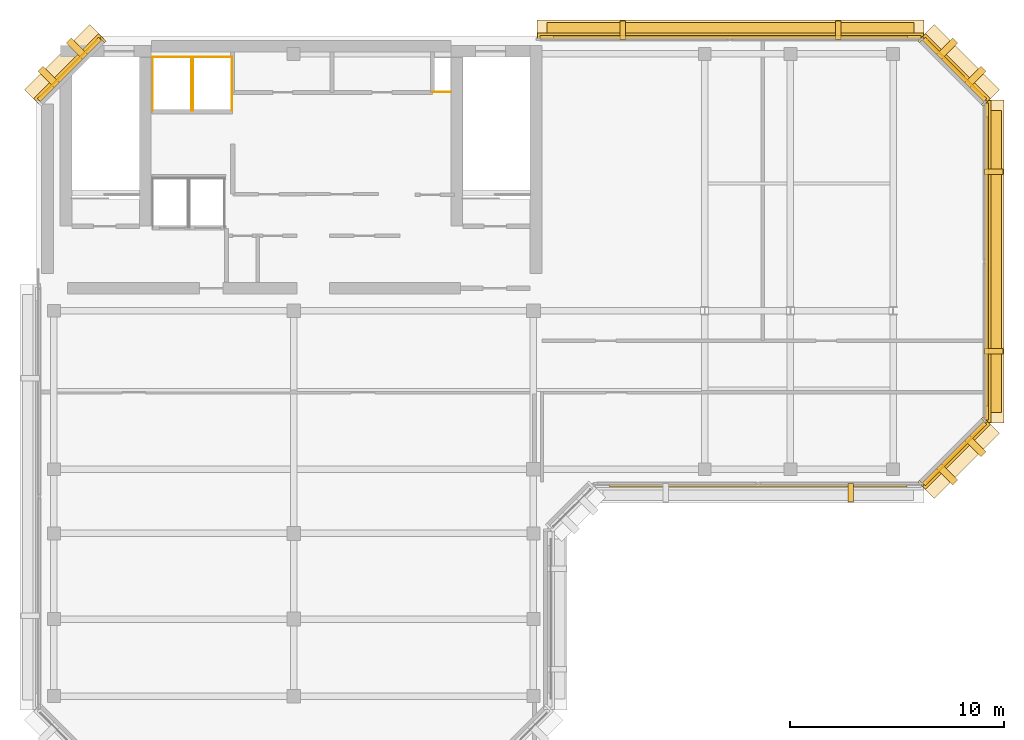
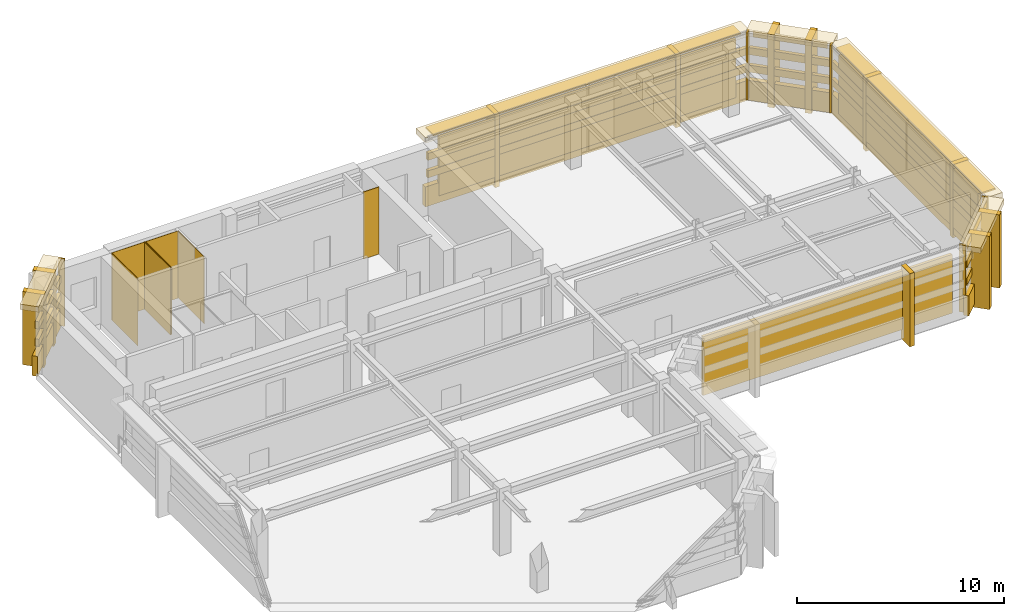
# One storey, part 7 of 7: 46 coverings, 5 shading devices.
"""IFC4 building model written with IfcOpenShell, lengths in metres."""

from ifc_helpers import new_model, si_unit, direction, frame, origin, origin_2d, place, context, subcontext, project, spatial, polyline, rectangle, outline, extrude, material, layer, layer_set, type_object, element, save


model = new_model("IFC4")

# Units and contexts
model_context = context("Model", 3, precision=1e-05, world=origin(), true_north=direction((0.0, 1.0)))
body_context = subcontext(model_context, "Body", "Model", "MODEL_VIEW")
ifc_project = project(units=[si_unit("LENGTHUNIT", "METRE"), si_unit("AREAUNIT", "SQUARE_METRE"), si_unit("VOLUMEUNIT", "CUBIC_METRE"), si_unit("PLANEANGLEUNIT", "RADIAN"), si_unit("MASSUNIT", "GRAM", prefix="KILO")], contexts=[model_context])

# Site, building, storey
site_placement = place(None, origin())
site = spatial("IfcSite", under=ifc_project, at=site_placement, CompositionType="ELEMENT")
building_placement = place(site_placement, origin())
building = spatial("IfcBuilding", under=site, at=building_placement, Name="Kefirva Bronze Tower", CompositionType="ELEMENT")
storey_placement = place(building_placement, frame((0.0, 0.0, 369.929931640625)))
storey = spatial("IfcBuildingStorey", under=building, at=storey_placement, Name="L90", CompositionType="ELEMENT", Elevation=369.929931640625)

# Coverings
ifc_material = material(Name="Bronze anodised aluminium", Category="aluminium")
ifc_layer_1 = layer(ifc_material, 0.02001953125, Name="Bronze anodised aluminium")
ifc_layer_set_1 = layer_set([ifc_layer_1], Name="Bronze anodised aluminium")
covering_type_1 = type_object("IfcCoveringType", Name="Anodised Bronze Spandrel Cladding 20mm", PredefinedType="CLADDING", material=ifc_layer_set_1)
covering_1_placement = place(storey_placement, frame((42.906982421875, 26.492919921875, 3.5400390625), z_axis=(0.0, 0.0, 1.0), x_axis=(0.707106781187, 0.707106781187, 0.0)))
element("IfcCovering", 1, at=covering_1_placement, inside=storey, type_object=covering_type_1, Name="L90 Bronze Spandrel Cladding 4", PredefinedType="CLADDING", context=body_context, shape_type="SweptSolid", body=[
    extrude(rectangle(XDim=3.719482421875, YDim=0.02001953125, at=origin_2d()), origin(), (0.0, 0.0, 1.0), 0.39990234375),
])
for number, where, z_axis, x_axis, name in (
    (2, (41.311767578125, 25.137939453125, 0.0), (0.0, 0.0, 1.0), (0.707106781187, 0.707106781187, 0.0), "L90 Facade Joint Closure Panel 4S"),
    (3, (44.26220703125, 28.08837890625, 0.0), (0.0, 0.0, 1.0), (0.707106781187, 0.707106781187, 0.0), "L90 Facade Joint Closure Panel 4E"),
):
    element("IfcCovering", number, at=place(storey_placement, frame(where, z_axis=z_axis, x_axis=x_axis)), inside=storey, type_object=covering_type_1, Name=name, PredefinedType="CLADDING", context=body_context, shape_type="SweptSolid", body=[
        extrude(rectangle(XDim=0.10009765625, YDim=0.320068359375, at=origin_2d()), origin(), (0.0, 0.0, 1.0), 3.9599609375),
    ])
covering_2_placement = place(storey_placement, frame((42.92822265625, 26.4716796875, -0.15966796875), z_axis=(0.0, 0.0, 1.0), x_axis=(0.707106781187, 0.707106781187, 0.0)))
element("IfcCovering", 4, at=covering_2_placement, inside=storey, type_object=covering_type_1, Name="L90 Streamline Horizontal Spandrel Band 5", PredefinedType="CLADDING", context=body_context, shape_type="SweptSolid", body=[
    extrude(rectangle(XDim=4.28271484375, YDim=0.280029296875, at=origin_2d()), origin(), (0.0, 0.0, 1.0), 1.179931640625),
])
for number, where, z_axis, x_axis, name in (
    (5, (42.87158203125, 26.5283203125, 1.532470703125), (0.0, 0.0, 1.0), (0.707106781187, 0.707106781187, 0.0), "L90 Recessed Zone-Break Bronze Louvre Band 5-1"),
    (6, (42.87158203125, 26.5283203125, 2.56201171875), (0.0, 0.0, 1.0), (0.707106781187, 0.707106781187, 0.0), "L90 Recessed Zone-Break Bronze Louvre Band 5-2"),
):
    element("IfcCovering", number, at=place(storey_placement, frame(where, z_axis=z_axis, x_axis=x_axis)), inside=storey, type_object=covering_type_1, Name=name, PredefinedType="CLADDING", context=body_context, shape_type="SweptSolid", body=[
        extrude(rectangle(XDim=4.04248046875, YDim=0.199951171875, at=origin_2d()), origin(), (0.0, 0.0, 1.0), 0.419921875),
    ])
covering_3_placement = place(storey_placement, frame((44.43994140625, 35.5, -0.15966796875), z_axis=(0.0, 0.0, 1.0), x_axis=(0.0, 1.0, 0.0)))
element("IfcCovering", 7, at=covering_3_placement, inside=storey, type_object=covering_type_1, Name="L90 Streamline Horizontal Spandrel Band 6", PredefinedType="CLADDING", context=body_context, shape_type="SweptSolid", body=[
    extrude(rectangle(XDim=15.0400390625, YDim=0.280029296875, at=origin_2d()), origin(), (0.0, 0.0, 1.0), 1.179931640625),
])
for number, where, z_axis, x_axis, name in (
    (8, (44.360107421875, 35.5, 1.532470703125), (0.0, 0.0, 1.0), (0.0, 1.0, 0.0), "L90 Recessed Zone-Break Bronze Louvre Band 6-1"),
    (9, (44.360107421875, 35.5, 2.56201171875), (0.0, 0.0, 1.0), (0.0, 1.0, 0.0), "L90 Recessed Zone-Break Bronze Louvre Band 6-2"),
):
    element("IfcCovering", number, at=place(storey_placement, frame(where, z_axis=z_axis, x_axis=x_axis)), inside=storey, type_object=covering_type_1, Name=name, PredefinedType="CLADDING", context=body_context, shape_type="SweptSolid", body=[
        extrude(rectangle(XDim=14.800048828125, YDim=0.199951171875, at=origin_2d()), origin(), (0.0, 0.0, 1.0), 0.419921875),
    ])
covering_4_placement = place(storey_placement, frame((42.906982421875, 44.507080078125, 3.5400390625), z_axis=(0.0, 0.0, 1.0), x_axis=(-0.707106781187, 0.707106781187, 0.0)))
element("IfcCovering", 10, at=covering_4_placement, inside=storey, type_object=covering_type_1, Name="L90 Bronze Spandrel Cladding 5", PredefinedType="CLADDING", context=body_context, shape_type="SweptSolid", body=[
    extrude(rectangle(XDim=3.719482421875, YDim=0.02001953125, at=origin_2d()), origin(), (0.0, 0.0, 1.0), 0.39990234375),
])
for number, where, z_axis, x_axis, name in (
    (11, (44.26220703125, 42.91162109375, 0.0), (0.0, 0.0, 1.0), (-0.707106781187, 0.707106781187, 0.0), "L90 Facade Joint Closure Panel 5S"),
    (12, (41.311767578125, 45.862060546875, 0.0), (0.0, 0.0, 1.0), (-0.707106781187, 0.707106781187, 0.0), "L90 Facade Joint Closure Panel 5E"),
):
    element("IfcCovering", number, at=place(storey_placement, frame(where, z_axis=z_axis, x_axis=x_axis)), inside=storey, type_object=covering_type_1, Name=name, PredefinedType="CLADDING", context=body_context, shape_type="SweptSolid", body=[
        extrude(rectangle(XDim=0.10009765625, YDim=0.320068359375, at=origin_2d()), origin(), (0.0, 0.0, 1.0), 3.9599609375),
    ])
covering_5_placement = place(storey_placement, frame((42.92822265625, 44.5283203125, -0.15966796875), z_axis=(0.0, 0.0, 1.0), x_axis=(-0.707106781187, 0.707106781187, 0.0)))
element("IfcCovering", 13, at=covering_5_placement, inside=storey, type_object=covering_type_1, Name="L90 Streamline Horizontal Spandrel Band 7", PredefinedType="CLADDING", context=body_context, shape_type="SweptSolid", body=[
    extrude(rectangle(XDim=4.28271484375, YDim=0.280029296875, at=origin_2d()), origin(), (0.0, 0.0, 1.0), 1.179931640625),
])
for number, where, z_axis, x_axis, name in (
    (14, (42.87158203125, 44.4716796875, 1.532470703125), (0.0, 0.0, 1.0), (-0.707106781187, 0.707106781187, 0.0), "L90 Recessed Zone-Break Bronze Louvre Band 7-1"),
    (15, (42.87158203125, 44.4716796875, 2.56201171875), (0.0, 0.0, 1.0), (-0.707106781187, 0.707106781187, 0.0), "L90 Recessed Zone-Break Bronze Louvre Band 7-2"),
):
    element("IfcCovering", number, at=place(storey_placement, frame(where, z_axis=z_axis, x_axis=x_axis)), inside=storey, type_object=covering_type_1, Name=name, PredefinedType="CLADDING", context=body_context, shape_type="SweptSolid", body=[
        extrude(rectangle(XDim=4.04248046875, YDim=0.199951171875, at=origin_2d()), origin(), (0.0, 0.0, 1.0), 0.419921875),
    ])
covering_6_placement = place(storey_placement, frame((32.402587890625, 46.0400390625, -0.15966796875), z_axis=(0.0, 0.0, 1.0), x_axis=(-1.0, 0.0, 0.0)))
element("IfcCovering", 16, at=covering_6_placement, inside=storey, type_object=covering_type_1, Name="L90 Streamline Horizontal Spandrel Band 8", PredefinedType="CLADDING", context=body_context, shape_type="SweptSolid", body=[
    extrude(rectangle(XDim=18.034912109375, YDim=0.280029296875, at=origin_2d()), origin(), (0.0, 0.0, 1.0), 1.179931640625),
])
for number, where, z_axis, x_axis, name in (
    (17, (32.402587890625, 45.9599609375, 1.532470703125), (0.0, 0.0, 1.0), (-1.0, 0.0, 0.0), "L90 Recessed Zone-Break Bronze Louvre Band 8-1"),
    (18, (32.402587890625, 45.9599609375, 2.56201171875), (0.0, 0.0, 1.0), (-1.0, 0.0, 0.0), "L90 Recessed Zone-Break Bronze Louvre Band 8-2"),
):
    element("IfcCovering", number, at=place(storey_placement, frame(where, z_axis=z_axis, x_axis=x_axis)), inside=storey, type_object=covering_type_1, Name=name, PredefinedType="CLADDING", context=body_context, shape_type="SweptSolid", body=[
        extrude(rectangle(XDim=17.794921875, YDim=0.199951171875, at=origin_2d()), origin(), (0.0, 0.0, 1.0), 0.419921875),
    ])
covering_7_placement = place(storey_placement, frame((1.492919921875, 44.507080078125, 3.5400390625), z_axis=(0.0, 0.0, 1.0), x_axis=(-0.707106781187, -0.707106781187, 0.0)))
element("IfcCovering", 19, at=covering_7_placement, inside=storey, type_object=covering_type_1, Name="L90 Bronze Spandrel Cladding 6", PredefinedType="CLADDING", context=body_context, shape_type="SweptSolid", body=[
    extrude(rectangle(XDim=3.719482421875, YDim=0.02001953125, at=origin_2d()), origin(), (0.0, 0.0, 1.0), 0.39990234375),
])
covering_8_placement = place(storey_placement, frame((3.08837890625, 45.862060546875, 0.0), z_axis=(0.0, 0.0, 1.0), x_axis=(-0.707106781187, -0.707106781187, 0.0)))
element("IfcCovering", 20, at=covering_8_placement, inside=storey, type_object=covering_type_1, Name="L90 Facade Joint Closure Panel 6S", PredefinedType="CLADDING", context=body_context, shape_type="SweptSolid", body=[
    extrude(rectangle(XDim=0.10009765625, YDim=0.320068359375, at=origin_2d()), origin(), (0.0, 0.0, 1.0), 3.9599609375),
])
covering_9_placement = place(storey_placement, frame((1.4716796875, 44.5283203125, -0.15966796875), z_axis=(0.0, 0.0, 1.0), x_axis=(-0.707106781187, -0.707106781187, 0.0)))
element("IfcCovering", 21, at=covering_9_placement, inside=storey, type_object=covering_type_1, Name="L90 Streamline Horizontal Spandrel Band 9", PredefinedType="CLADDING", context=body_context, shape_type="SweptSolid", body=[
    extrude(rectangle(XDim=4.28271484375, YDim=0.280029296875, at=origin_2d()), origin(), (0.0, 0.0, 1.0), 1.179931640625),
])
for number, where, z_axis, x_axis, name in (
    (22, (1.5283203125, 44.4716796875, 1.532470703125), (0.0, 0.0, 1.0), (-0.707106781187, -0.707106781187, 0.0), "L90 Recessed Zone-Break Bronze Louvre Band 9-1"),
    (23, (1.5283203125, 44.4716796875, 2.56201171875), (0.0, 0.0, 1.0), (-0.707106781187, -0.707106781187, 0.0), "L90 Recessed Zone-Break Bronze Louvre Band 9-2"),
):
    element("IfcCovering", number, at=place(storey_placement, frame(where, z_axis=z_axis, x_axis=x_axis)), inside=storey, type_object=covering_type_1, Name=name, PredefinedType="CLADDING", context=body_context, shape_type="SweptSolid", body=[
        extrude(rectangle(XDim=4.04248046875, YDim=0.199951171875, at=origin_2d()), origin(), (0.0, 0.0, 1.0), 0.419921875),
    ])
covering_10_placement = place(storey_placement, origin())
element("IfcCovering", 24, at=covering_10_placement, inside=storey, type_object=covering_type_1, Name="L90 Lift SV1 Hoistway Liner N", PredefinedType="CLADDING", context=body_context, shape_type="SweptSolid", body=[
    extrude(outline(polyline([(5.39990234375, 45.0400390625), (7.260009765625, 45.0400390625), (7.260009765625, 45.06005859375), (5.39990234375, 45.06005859375), (5.39990234375, 45.0400390625)])), origin(), (0.0, 0.0, 1.0), 3.9599609375),
])
covering_11_placement = place(storey_placement, origin())
element("IfcCovering", 25, at=covering_11_placement, inside=storey, type_object=covering_type_1, Name="L90 Lift SV1 Hoistway Liner W", PredefinedType="CLADDING", context=body_context, shape_type="SweptSolid", body=[
    extrude(outline(polyline([(5.409912109375, 42.530029296875), (5.429931640625, 42.530029296875), (5.429931640625, 45.070068359375), (5.409912109375, 45.070068359375), (5.409912109375, 42.530029296875)])), origin(), (0.0, 0.0, 1.0), 3.9599609375),
])
covering_12_placement = place(storey_placement, origin())
element("IfcCovering", 26, at=covering_12_placement, inside=storey, type_object=covering_type_1, Name="L90 Lift SV1 Hoistway Liner E", PredefinedType="CLADDING", context=body_context, shape_type="SweptSolid", body=[
    extrude(outline(polyline([(7.22998046875, 42.530029296875), (7.25, 42.530029296875), (7.25, 45.070068359375), (7.22998046875, 45.070068359375), (7.22998046875, 42.530029296875)])), origin(), (0.0, 0.0, 1.0), 3.9599609375),
])
covering_13_placement = place(storey_placement, origin())
element("IfcCovering", 27, at=covering_13_placement, inside=storey, type_object=covering_type_1, Name="L90 Lift SV2 Hoistway Liner N", PredefinedType="CLADDING", context=body_context, shape_type="SweptSolid", body=[
    extrude(outline(polyline([(7.280029296875, 45.0400390625), (9.139892578125, 45.0400390625), (9.139892578125, 45.06005859375), (7.280029296875, 45.06005859375), (7.280029296875, 45.0400390625)])), origin(), (0.0, 0.0, 1.0), 3.9599609375),
])
covering_14_placement = place(storey_placement, origin())
element("IfcCovering", 28, at=covering_14_placement, inside=storey, type_object=covering_type_1, Name="L90 Lift SV2 Hoistway Liner W", PredefinedType="CLADDING", context=body_context, shape_type="SweptSolid", body=[
    extrude(outline(polyline([(7.2900390625, 42.530029296875), (7.31005859375, 42.530029296875), (7.31005859375, 45.070068359375), (7.2900390625, 45.070068359375), (7.2900390625, 42.530029296875)])), origin(), (0.0, 0.0, 1.0), 3.9599609375),
])
covering_15_placement = place(storey_placement, origin())
element("IfcCovering", 29, at=covering_15_placement, inside=storey, type_object=covering_type_1, Name="L90 Lift SV2 Hoistway Liner E", PredefinedType="CLADDING", context=body_context, shape_type="SweptSolid", body=[
    extrude(outline(polyline([(9.110107421875, 42.530029296875), (9.1298828125, 42.530029296875), (9.1298828125, 45.070068359375), (9.110107421875, 45.070068359375), (9.110107421875, 42.530029296875)])), origin(), (0.0, 0.0, 1.0), 3.9599609375),
])
covering_16_placement = place(storey_placement, origin())
element("IfcCovering", 30, at=covering_16_placement, inside=storey, type_object=covering_type_1, Name="L90 Core MEP Riser Shaft Liner South", PredefinedType="CLADDING", context=body_context, shape_type="SweptSolid", body=[
    extrude(outline(polyline([(18.47998046875, 43.39990234375), (19.360107421875, 43.39990234375), (19.360107421875, 43.429931640625), (18.47998046875, 43.429931640625), (18.47998046875, 43.39990234375)])), origin(), (0.0, 0.0, 1.0), 3.9599609375),
])

# Shading devices
ifc_layer_2 = layer(ifc_material, 0.090087890625, Name="Bronze anodised aluminium")
ifc_layer_set_2 = layer_set([ifc_layer_2], Name="Bronze anodised aluminium")
shading_device_type_1 = type_object("IfcShadingDeviceType", Name="Horizontal Bronze Sunshade Band 750mm", PredefinedType="JALOUSIE", material=ifc_layer_set_2)
shading_device_1_placement = place(storey_placement, frame((44.695068359375, 35.5, 3.85498046875), z_axis=(0.0, 0.0, 1.0), x_axis=(0.0, 1.0, 0.0)))
element("IfcShadingDevice", 31, at=shading_device_1_placement, inside=storey, type_object=shading_device_type_1, Name="L90 Horizontal Bronze Sunshade Band 6", PredefinedType="JALOUSIE", context=body_context, shape_type="SweptSolid", body=[
    extrude(rectangle(XDim=14.090087890625, YDim=0.75, at=origin_2d()), origin(), (0.0, 0.0, 1.0), 0.090087890625),
])
shading_device_2_placement = place(storey_placement, frame((32.402587890625, 46.294921875, 3.85498046875), z_axis=(0.0, 0.0, 1.0), x_axis=(-1.0, 0.0, 0.0)))
element("IfcShadingDevice", 32, at=shading_device_2_placement, inside=storey, type_object=shading_device_type_1, Name="L90 Horizontal Bronze Sunshade Band 8", PredefinedType="JALOUSIE", context=body_context, shape_type="SweptSolid", body=[
    extrude(rectangle(XDim=17.139892578125, YDim=0.75, at=origin_2d()), origin(), (0.0, 0.0, 1.0), 0.090087890625),
])
ifc_layer_3 = layer(ifc_material, 0.159912109375, Name="Bronze anodised aluminium")
ifc_layer_set_3 = layer_set([ifc_layer_3], Name="Bronze anodised aluminium")
shading_device_type_2 = type_object("IfcShadingDeviceType", Name="Recessed Zone-Break Acoustic Louvre Screen", PredefinedType="SHUTTER", material=ifc_layer_set_3)
shading_device_3_placement = place(storey_placement, frame((33.699951171875, 25.0400390625, 0.25), z_axis=(0.0, 0.0, 1.0), x_axis=(1.0, 0.0, 0.0)))
element("IfcShadingDevice", 33, at=shading_device_3_placement, inside=storey, type_object=shading_device_type_2, Name="L90 Acoustic Plant Louvre Screen 4", PredefinedType="SHUTTER", context=body_context, shape_type="SweptSolid", body=[
    extrude(rectangle(XDim=13.889892578125, YDim=0.159912109375, at=origin_2d()), origin(), (0.0, 0.0, 1.0), 3.4599609375),
])
shading_device_4_placement = place(storey_placement, frame((44.360107421875, 35.5, 0.25), z_axis=(0.0, 0.0, 1.0), x_axis=(0.0, 1.0, 0.0)))
element("IfcShadingDevice", 34, at=shading_device_4_placement, inside=storey, type_object=shading_device_type_2, Name="L90 Acoustic Plant Louvre Screen 6", PredefinedType="SHUTTER", context=body_context, shape_type="SweptSolid", body=[
    extrude(rectangle(XDim=13.489990234375, YDim=0.159912109375, at=origin_2d()), origin(), (0.0, 0.0, 1.0), 3.4599609375),
])
shading_device_5_placement = place(storey_placement, frame((32.402587890625, 45.9599609375, 0.25), z_axis=(0.0, 0.0, 1.0), x_axis=(-1.0, 0.0, 0.0)))
element("IfcShadingDevice", 35, at=shading_device_5_placement, inside=storey, type_object=shading_device_type_2, Name="L90 Acoustic Plant Louvre Screen 8", PredefinedType="SHUTTER", context=body_context, shape_type="SweptSolid", body=[
    extrude(rectangle(XDim=16.5400390625, YDim=0.159912109375, at=origin_2d()), origin(), (0.0, 0.0, 1.0), 3.4599609375),
])

# Coverings
ifc_layer_4 = layer(ifc_material, 0.179931640625, Name="Bronze anodised aluminium")
ifc_layer_set_4 = layer_set([ifc_layer_4], Name="Bronze anodised aluminium")
covering_type_2 = type_object("IfcCoveringType", Name="Streamline Bronze Sunshade Eyebrow Cladding 180mm", PredefinedType="CLADDING", material=ifc_layer_set_4)
covering_17_placement = place(storey_placement, frame((43.119140625, 26.28076171875, 3.64013671875), z_axis=(0.0, 0.0, 1.0), x_axis=(0.707106781187, 0.707106781187, 0.0)))
element("IfcCovering", 36, at=covering_17_placement, inside=storey, type_object=covering_type_2, Name="L90 Streamline Bronze Sunshade Eyebrow 5", PredefinedType="CLADDING", context=body_context, shape_type="SweptSolid", body=[
    extrude(rectangle(XDim=4.322509765625, YDim=0.93994140625, at=origin_2d()), origin(), (0.0, 0.0, 1.0), 0.320068359375),
])
covering_18_placement = place(storey_placement, frame((44.7099609375, 35.5, 3.64013671875), z_axis=(0.0, 0.0, 1.0), x_axis=(0.0, 1.0, 0.0)))
element("IfcCovering", 37, at=covering_18_placement, inside=storey, type_object=covering_type_2, Name="L90 Streamline Bronze Sunshade Eyebrow 6", PredefinedType="CLADDING", context=body_context, shape_type="SweptSolid", body=[
    extrude(rectangle(XDim=15.080078125, YDim=0.93994140625, at=origin_2d()), origin(), (0.0, 0.0, 1.0), 0.320068359375),
])
covering_19_placement = place(storey_placement, frame((43.119140625, 44.71923828125, 3.64013671875), z_axis=(0.0, 0.0, 1.0), x_axis=(-0.707106781187, 0.707106781187, 0.0)))
element("IfcCovering", 38, at=covering_19_placement, inside=storey, type_object=covering_type_2, Name="L90 Streamline Bronze Sunshade Eyebrow 7", PredefinedType="CLADDING", context=body_context, shape_type="SweptSolid", body=[
    extrude(rectangle(XDim=4.322509765625, YDim=0.93994140625, at=origin_2d()), origin(), (0.0, 0.0, 1.0), 0.320068359375),
])
covering_20_placement = place(storey_placement, frame((32.402587890625, 46.31005859375, 3.64013671875), z_axis=(0.0, 0.0, 1.0), x_axis=(-1.0, 0.0, 0.0)))
element("IfcCovering", 39, at=covering_20_placement, inside=storey, type_object=covering_type_2, Name="L90 Streamline Bronze Sunshade Eyebrow 8", PredefinedType="CLADDING", context=body_context, shape_type="SweptSolid", body=[
    extrude(rectangle(XDim=18.074951171875, YDim=0.93994140625, at=origin_2d()), origin(), (0.0, 0.0, 1.0), 0.320068359375),
])
covering_21_placement = place(storey_placement, frame((1.28076171875, 44.71923828125, 3.64013671875), z_axis=(0.0, 0.0, 1.0), x_axis=(-0.707106781187, -0.707106781187, 0.0)))
element("IfcCovering", 40, at=covering_21_placement, inside=storey, type_object=covering_type_2, Name="L90 Streamline Bronze Sunshade Eyebrow 9", PredefinedType="CLADDING", context=body_context, shape_type="SweptSolid", body=[
    extrude(rectangle(XDim=4.322509765625, YDim=0.93994140625, at=origin_2d()), origin(), (0.0, 0.0, 1.0), 0.320068359375),
])
ifc_layer_5 = layer(ifc_material, 0.260009765625, Name="Bronze anodised aluminium")
ifc_layer_set_5 = layer_set([ifc_layer_5], Name="Bronze anodised aluminium")
covering_type_3 = type_object("IfcCoveringType", Name="Unbroken Bronze Buttress Fin Cladding 260mm", PredefinedType="CLADDING", material=ifc_layer_set_5)
covering_22_placement = place(storey_placement, frame((38.011962890625, 24.699951171875, -0.349853515625), z_axis=(0.0, 0.0, 1.0), x_axis=(1.0, 0.0, 0.0)))
element("IfcCovering", 41, at=covering_22_placement, inside=storey, type_object=covering_type_3, Name="L90 Unbroken Vertical Bronze Rib Fin 10", PredefinedType="CLADDING", context=body_context, shape_type="SweptSolid", body=[
    extrude(rectangle(XDim=0.260009765625, YDim=0.8798828125, at=origin_2d()), origin(), (0.0, 0.0, 1.0), 4.31005859375),
])
for number, where, z_axis, x_axis, name in (
    (42, (42.522705078125, 25.55712890625, -0.349853515625), (0.0, 0.0, 1.0), (0.707106781187, 0.707106781187, 0.0), "L90 Chamfered Corner Buttress Fin Cladding 11"),
    (43, (43.8427734375, 26.877197265625, -0.349853515625), (0.0, 0.0, 1.0), (0.707106781187, 0.707106781187, 0.0), "L90 Chamfered Corner Buttress Fin Cladding 12"),
):
    element("IfcCovering", number, at=place(storey_placement, frame(where, z_axis=z_axis, x_axis=x_axis)), inside=storey, type_object=covering_type_3, Name=name, PredefinedType="CLADDING", context=body_context, shape_type="SweptSolid", body=[
        extrude(rectangle(XDim=0.340087890625, YDim=1.080078125, at=origin_2d()), origin(), (0.0, 0.0, 1.0), 4.31005859375),
    ])
for number, where, z_axis, x_axis, name in (
    (44, (44.699951171875, 31.300048828125, -0.349853515625), (0.0, 0.0, 1.0), (0.0, 1.0, 0.0), "L90 Unbroken Vertical Bronze Rib Fin 13"),
    (45, (44.699951171875, 39.699951171875, -0.349853515625), (0.0, 0.0, 1.0), (0.0, 1.0, 0.0), "L90 Unbroken Vertical Bronze Rib Fin 14"),
):
    element("IfcCovering", number, at=place(storey_placement, frame(where, z_axis=z_axis, x_axis=x_axis)), inside=storey, type_object=covering_type_3, Name=name, PredefinedType="CLADDING", context=body_context, shape_type="SweptSolid", body=[
        extrude(rectangle(XDim=0.260009765625, YDim=0.8798828125, at=origin_2d()), origin(), (0.0, 0.0, 1.0), 4.31005859375),
    ])
for number, where, z_axis, x_axis, name in (
    (46, (43.8427734375, 44.122802734375, -0.349853515625), (0.0, 0.0, 1.0), (-0.707106781187, 0.707106781187, 0.0), "L90 Chamfered Corner Buttress Fin Cladding 15"),
    (47, (42.522705078125, 45.44287109375, -0.349853515625), (0.0, 0.0, 1.0), (-0.707106781187, 0.707106781187, 0.0), "L90 Chamfered Corner Buttress Fin Cladding 16"),
):
    element("IfcCovering", number, at=place(storey_placement, frame(where, z_axis=z_axis, x_axis=x_axis)), inside=storey, type_object=covering_type_3, Name=name, PredefinedType="CLADDING", context=body_context, shape_type="SweptSolid", body=[
        extrude(rectangle(XDim=0.340087890625, YDim=1.080078125, at=origin_2d()), origin(), (0.0, 0.0, 1.0), 4.31005859375),
    ])
for number, where, z_axis, x_axis, name in (
    (48, (37.441162109375, 46.300048828125, -0.349853515625), (0.0, 0.0, 1.0), (-1.0, 0.0, 0.0), "L90 Unbroken Vertical Bronze Rib Fin 17"),
    (49, (27.364013671875, 46.300048828125, -0.349853515625), (0.0, 0.0, 1.0), (-1.0, 0.0, 0.0), "L90 Unbroken Vertical Bronze Rib Fin 18"),
):
    element("IfcCovering", number, at=place(storey_placement, frame(where, z_axis=z_axis, x_axis=x_axis)), inside=storey, type_object=covering_type_3, Name=name, PredefinedType="CLADDING", context=body_context, shape_type="SweptSolid", body=[
        extrude(rectangle(XDim=0.260009765625, YDim=0.8798828125, at=origin_2d()), origin(), (0.0, 0.0, 1.0), 4.31005859375),
    ])
for number, where, z_axis, x_axis, name in (
    (50, (1.877197265625, 45.44287109375, -0.349853515625), (0.0, 0.0, 1.0), (-0.707106781187, -0.707106781187, 0.0), "L90 Chamfered Corner Buttress Fin Cladding 19"),
    (51, (0.55712890625, 44.122802734375, -0.349853515625), (0.0, 0.0, 1.0), (-0.707106781187, -0.707106781187, 0.0), "L90 Chamfered Corner Buttress Fin Cladding 20"),
):
    element("IfcCovering", number, at=place(storey_placement, frame(where, z_axis=z_axis, x_axis=x_axis)), inside=storey, type_object=covering_type_3, Name=name, PredefinedType="CLADDING", context=body_context, shape_type="SweptSolid", body=[
        extrude(rectangle(XDim=0.340087890625, YDim=1.080078125, at=origin_2d()), origin(), (0.0, 0.0, 1.0), 4.31005859375),
    ])

save(model, "model.ifc")
